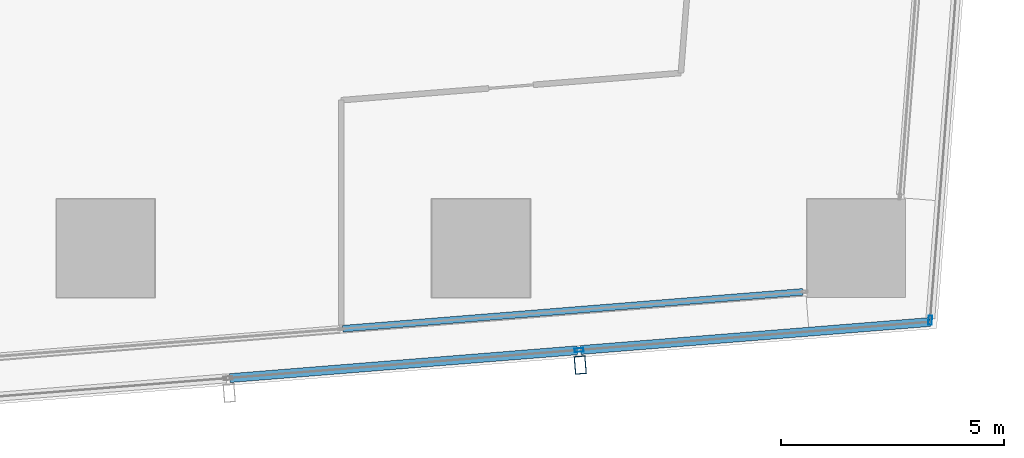
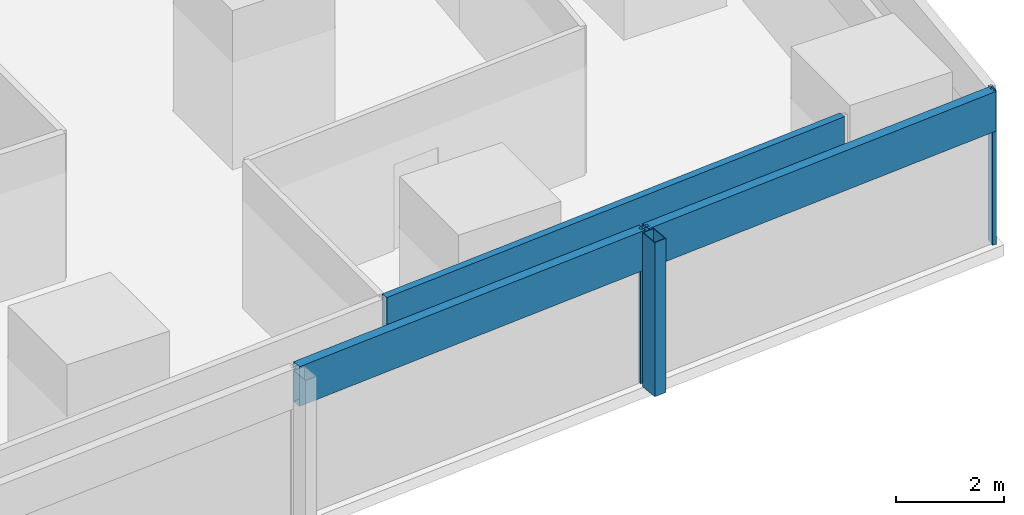
# One storey, part 11 of 44: 6 members, 3 elements without a shape of their own.
"""IFC4 building model written with IfcOpenShell, lengths in metres."""

from ifc_helpers import new_model, si_unit, direction, frame, origin, origin_2d, place, context, subcontext, project, spatial, hollow_rectangle, extrude, material, material_profile, profile_set, type_object, element, aggregate, save


model = new_model("IFC4")

# Units and contexts
model_context = context("Model", 3, precision=1e-05, world=origin(), true_north=direction((0.0, 1.0)))
body_context = subcontext(model_context, "Body", "Model", "MODEL_VIEW")
ifc_project = project(units=[si_unit("LENGTHUNIT", "METRE"), si_unit("AREAUNIT", "SQUARE_METRE"), si_unit("VOLUMEUNIT", "CUBIC_METRE"), si_unit("PLANEANGLEUNIT", "RADIAN"), si_unit("MASSUNIT", "GRAM", prefix="KILO")], contexts=[model_context])

# Site, building, storey
site_placement = place(None, origin())
site = spatial("IfcSite", under=ifc_project, at=site_placement, CompositionType="ELEMENT")
building_placement = place(site_placement, origin())
building = spatial("IfcBuilding", under=site, at=building_placement, Name="Rekha Terrace Tower", CompositionType="ELEMENT")
storey_placement = place(building_placement, frame((0.0, 0.0, 59.14990234375)))
storey = spatial("IfcBuildingStorey", under=building, at=storey_placement, Name="L14", CompositionType="ELEMENT", Elevation=59.14990234375)

# Curtain wall, member
ifc_material_1 = material(Name="Aluminium framing", Category="aluminium")
curtain_wall_type_1 = type_object("IfcCurtainWallType", Name="CW2 double skin outer glazing", PredefinedType="USERDEFINED", material=ifc_material_1)
curtain_wall_1_placement = place(storey_placement, origin())
curtain_wall_1 = element("IfcCurtainWall", 1, at=curtain_wall_1_placement, inside=storey, type_object=curtain_wall_type_1, Name="CW2 double skin outer glazing", ObjectType="DOUBLE SKIN OUTER GLAZING", PredefinedType="USERDEFINED")
ifc_material_2 = material(Name="Steel S355 with fluorocarbon finish", Category="steel")
ifc_material_profile_1 = material_profile(ifc_material_2, hollow_rectangle(XDim=0.25, YDim=0.39990234375, WallThickness=0.012451171875, at=origin_2d()), Name="RHS400x250x12.5")
ifc_profile_set_1 = profile_set([ifc_material_profile_1], Name="Steel S355 with fluorocarbon finish")
member_type_1 = type_object("IfcMemberType", Name="BL1 facade blade RHS 400 x 250", PredefinedType="USERDEFINED", material=ifc_profile_set_1)
member_1_placement = place(storey_placement, frame((61.022705078125, 5.78515625, 0.0), z_axis=(0.0, 0.0, 1.0), x_axis=(0.996805139821, 0.079871855039, 0.0)))
member_1 = element("IfcMember", 2, at=member_1_placement, type_object=member_type_1, Name="Facade blade", ObjectType="FACADE BLADE", PredefinedType="USERDEFINED", context=body_context, shape_type="SweptSolid", body=[
    extrude(hollow_rectangle(XDim=0.25, YDim=0.39990234375, WallThickness=0.012451171875, at=origin_2d()), origin(), (0.0, 0.0, 1.0), 3.5),
])

curtain_wall_type_2 = type_object("IfcCurtainWallType", Name="CW1 double skin inner glazing", PredefinedType="USERDEFINED", material=ifc_material_1)
curtain_wall_2_placement = place(storey_placement, origin())
curtain_wall_2 = element("IfcCurtainWall", 3, at=curtain_wall_2_placement, inside=storey, type_object=curtain_wall_type_2, Name="CW1 double skin inner glazing", ObjectType="DOUBLE SKIN INNER GLAZING", PredefinedType="USERDEFINED")
ifc_material_3 = material(Name="Insulated aluminium spandrel box", Category="aluminium")
ifc_material_profile_2 = material_profile(ifc_material_3, hollow_rectangle(XDim=0.14990234375, YDim=0.89990234375, WallThickness=0.0029296875, at=origin_2d()), Name="AL SPANDREL BOX 150x900")
ifc_profile_set_2 = profile_set([ifc_material_profile_2], Name="Insulated aluminium spandrel box")
member_type_2 = type_object("IfcMemberType", Name="CW1 spandrel transom 150 x 900", PredefinedType="USERDEFINED", material=ifc_profile_set_2)
member_2_placement = place(storey_placement, frame((55.704345703125, 6.59814453125, 3.050048828125), z_axis=(0.996806184606, 0.079858814989, 0.0), x_axis=(-0.079858814989, 0.996806184606, 0.0)))
member_2 = element("IfcMember", 4, at=member_2_placement, type_object=member_type_2, Name="CW1 spandrel transom 2", ObjectType="TRANSOM", PredefinedType="USERDEFINED", context=body_context, shape_type="SweptSolid", body=[
    extrude(hollow_rectangle(XDim=0.14990234375, YDim=0.89990234375, WallThickness=0.0029296875, at=origin_2d()), origin(), (0.0, 0.0, 1.0), 10.336181640625),
])
aggregate(curtain_wall_2, [member_2])

# Member
ifc_material_4 = material(Name="Aluminium mullion section", Category="aluminium")
ifc_material_profile_3 = material_profile(ifc_material_4, hollow_rectangle(XDim=0.080078125, YDim=0.199951171875, WallThickness=0.00390625, at=origin_2d()), Name="AL RHS 80x200")
ifc_profile_set_3 = profile_set([ifc_material_profile_3], Name="Aluminium mullion section")
member_type_3 = type_object("IfcMemberType", Name="CW2 mullion RHS 80 x 200", PredefinedType="MULLION", material=ifc_profile_set_3)
member_3_placement = place(storey_placement, frame((60.99609375, 6.119140625, 0.0), z_axis=(0.0, 0.0, 1.0), x_axis=(-0.079872204468, 0.996805111821, 0.0)))
member_3 = element("IfcMember", 5, at=member_3_placement, type_object=member_type_3, Name="CW2 mullion 3", PredefinedType="MULLION", context=body_context, shape_type="SweptSolid", body=[
    extrude(hollow_rectangle(XDim=0.080078125, YDim=0.199951171875, WallThickness=0.00390625, at=origin_2d()), origin(), (0.0, 0.0, 1.0), 3.5),
])

# Curtain wall, member
curtain_wall_3_placement = place(storey_placement, origin())
curtain_wall_3 = element("IfcCurtainWall", 6, at=curtain_wall_3_placement, inside=storey, type_object=curtain_wall_type_1, Name="CW2 double skin outer glazing", ObjectType="DOUBLE SKIN OUTER GLAZING", PredefinedType="USERDEFINED")
member_4_placement = place(storey_placement, frame((68.8544921875, 6.78857421875, 0.0), z_axis=(0.0, 0.0, 1.0), x_axis=(-0.996865392575, 0.079116301017, 0.0)))
member_4 = element("IfcMember", 7, at=member_4_placement, type_object=member_type_3, Name="CW2 mullion 1", PredefinedType="MULLION", context=body_context, shape_type="SweptSolid", body=[
    extrude(hollow_rectangle(XDim=0.080078125, YDim=0.199951171875, WallThickness=0.00390625, at=origin_2d()), origin(), (0.0, 0.0, 1.0), 3.5),
])
aggregate(curtain_wall_3, [member_4])

# Member
ifc_material_profile_4 = material_profile(ifc_material_3, hollow_rectangle(XDim=0.199951171875, YDim=0.89990234375, WallThickness=0.0029296875, at=origin_2d()), Name="AL SPANDREL BOX 200x900")
ifc_profile_set_4 = profile_set([ifc_material_profile_4], Name="Insulated aluminium spandrel box")
member_type_4 = type_object("IfcMemberType", Name="CW2 spandrel transom 200 x 900", PredefinedType="USERDEFINED", material=ifc_profile_set_4)
member_5_placement = place(storey_placement, frame((53.1806640625, 5.492919921875, 3.050048828125), z_axis=(0.996804920132, 0.079874596715, 0.0), x_axis=(-0.079874596715, 0.996804920132, 0.0)))
member_5 = element("IfcMember", 8, at=member_5_placement, type_object=member_type_4, Name="CW2 spandrel transom 2", ObjectType="TRANSOM", PredefinedType="USERDEFINED", context=body_context, shape_type="SweptSolid", body=[
    extrude(hollow_rectangle(XDim=0.199951171875, YDim=0.89990234375, WallThickness=0.0029296875, at=origin_2d()), origin(), (0.0, 0.0, 1.0), 7.80029296875),
])

member_6_placement = place(storey_placement, frame((61.035888671875, 6.122314453125, 3.050048828125), z_axis=(0.996805270739, 0.07987022115, 0.0), x_axis=(-0.07987022115, 0.996805270739, 0.0)))
member_6 = element("IfcMember", 9, at=member_6_placement, type_object=member_type_4, Name="CW2 spandrel transom 3", ObjectType="TRANSOM", PredefinedType="USERDEFINED", context=body_context, shape_type="SweptSolid", body=[
    extrude(hollow_rectangle(XDim=0.199951171875, YDim=0.89990234375, WallThickness=0.0029296875, at=origin_2d()), origin(), (0.0, 0.0, 1.0), 7.840576171875),
])

aggregate(curtain_wall_1, [member_3, member_5, member_6, member_1])

save(model, "model.ifc")
